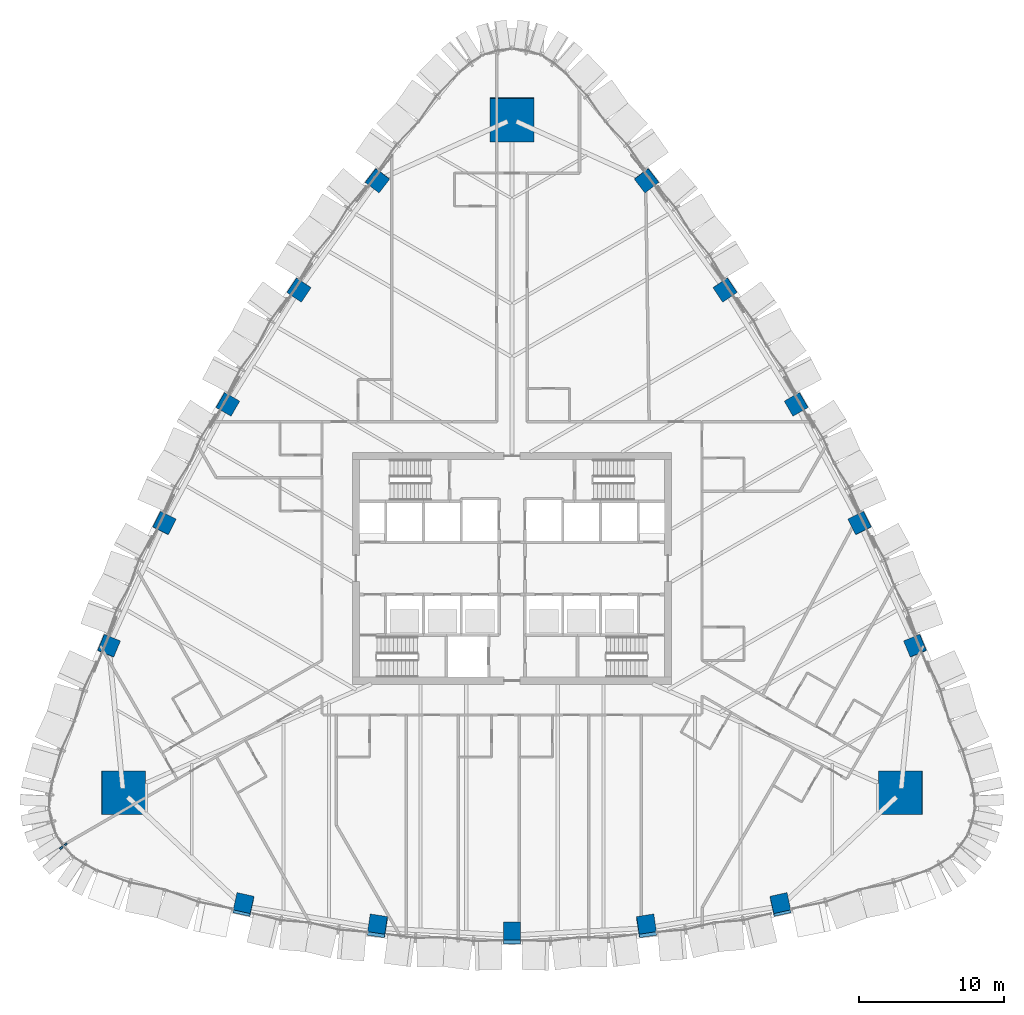
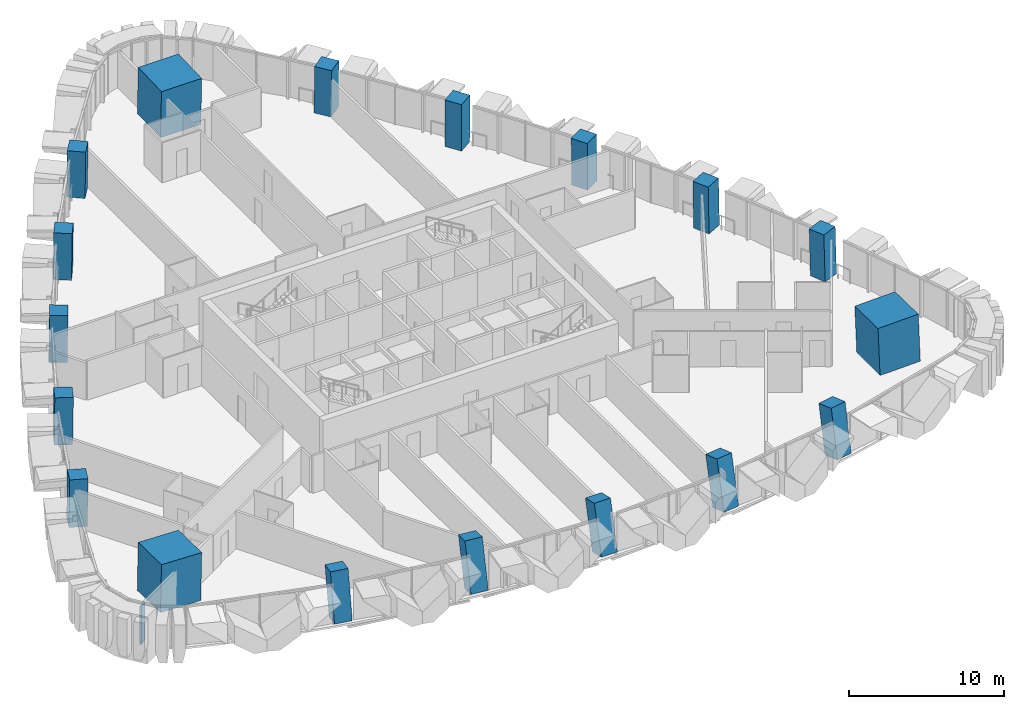
# One storey, part 1 of 22: 18 columns, 1 member, 1 element without a shape of its own.
"""IFC4 building model written with IfcOpenShell, lengths in metres."""

from ifc_helpers import new_model, si_unit, direction, frame, origin, origin_2d, place, context, subcontext, project, spatial, rectangle, extrude, clip, halfspace, material, layer, layer_set, material_profile, profile_set, type_object, element, aggregate, save


model = new_model("IFC4")

# Units and contexts
model_context = context("Model", 3, precision=1e-05, world=origin(), true_north=direction((0.0, 1.0)))
body_context = subcontext(model_context, "Body", "Model", "MODEL_VIEW")
ifc_project = project(units=[si_unit("LENGTHUNIT", "METRE"), si_unit("AREAUNIT", "SQUARE_METRE"), si_unit("VOLUMEUNIT", "CUBIC_METRE"), si_unit("PLANEANGLEUNIT", "RADIAN"), si_unit("MASSUNIT", "GRAM", prefix="KILO")], contexts=[model_context])

# Site, building, storey
site_placement = place(None, origin())
site = spatial("IfcSite", under=ifc_project, at=site_placement, CompositionType="ELEMENT")
building_placement = place(site_placement, origin())
building = spatial("IfcBuilding", under=site, at=building_placement, Name="Sierra Prisma Convention Tower", CompositionType="ELEMENT")
storey_placement = place(building_placement, frame((0.0, 0.0, 62.800048828125)))
storey = spatial("IfcBuildingStorey", under=building, at=storey_placement, Name="L11", CompositionType="ELEMENT", Elevation=62.800048828125)

# Columns
ifc_material_1 = material(Name="Concrete C60/75", Category="concrete")
ifc_material_profile_1 = material_profile(ifc_material_1, rectangle(XDim=3.0, YDim=3.0, at=origin_2d()), Name="Mega column RC 3000 C60/75")
ifc_profile_set_1 = profile_set([ifc_material_profile_1], Name="Concrete C60/75")
column_type_1 = type_object("IfcColumnType", Name="Mega column RC 3000 C60/75", PredefinedType="COLUMN", material=ifc_profile_set_1)
for number, where, z_axis, x_axis, name in (
    (1, (26.788818359375, -15.466552734375, 0.0), (-0.030531992032, 0.017607001884, 0.999378702468), (0.999533790055, 0.000537827582, 0.03052725469), "Mega column SE L11"),
    (2, (0.0, 30.93310546875, 0.0), (0.0, -0.035279904102, 0.999377470412), (1.0, 0.0, 0.0), "Mega column N L11"),
    (3, (-26.788818359375, -15.466552734375, 0.0), (0.030531992032, 0.017607001884, 0.999378702468), (0.999533790055, -0.000537827582, -0.03052725469), "Mega column SW L11"),
):
    element("IfcColumn", number, at=place(storey_placement, frame(where, z_axis=z_axis, x_axis=x_axis)), inside=storey, type_object=column_type_1, Name=name, PredefinedType="COLUMN", context=body_context, shape_type="SweptSolid", body=[
        extrude(rectangle(XDim=3.0, YDim=3.0, at=origin_2d()), origin(), (0.0, 0.0, 1.0), 3.7021484375),
    ])
ifc_material_2 = material(Name="Concrete C60/75", Category="concrete")
ifc_material_profile_2 = material_profile(ifc_material_2, rectangle(XDim=1.199951171875, YDim=1.199951171875, at=origin_2d()), Name="Perimeter column RC 1200 C60/75")
ifc_profile_set_2 = profile_set([ifc_material_profile_2], Name="Concrete C60/75")
column_type_2 = type_object("IfcColumnType", Name="Perimeter column RC 1200 C60/75", PredefinedType="COLUMN", material=ifc_profile_set_2)
column_1_placement = place(storey_placement, frame((-18.51611328125, -23.275390625, 0.0), z_axis=(0.019035359056, 0.17391691533, 0.98457633613), x_axis=(-0.976521539024, 0.214578146302, -0.019023747061)))
element("IfcColumn", 4, at=column_1_placement, inside=storey, type_object=column_type_2, Name="Perimeter column S-1 L11", PredefinedType="COLUMN", context=body_context, shape_type="SweptSolid", body=[
    clip(clip(extrude(rectangle(XDim=1.199951171875, YDim=1.199951171875, at=origin_2d()), origin(), (0.0, 0.0, 1.0), 3.7578125), halfspace(frame((0.0, 0.0, 0.00048828125)), True)), halfspace(frame((0.0, 0.0, 3.752197265625)), False)),
])
column_2_placement = place(storey_placement, frame((-9.2783203125, -24.785400390625, 0.0), z_axis=(0.009454937322, 0.223059337629, 0.97475901435), x_axis=(0.988869315433, -0.146836694661, 0.024009625055)))
element("IfcColumn", 5, at=column_2_placement, inside=storey, type_object=column_type_2, Name="Perimeter column S-2 L11", PredefinedType="COLUMN", context=body_context, shape_type="SweptSolid", body=[
    clip(extrude(rectangle(XDim=1.199951171875, YDim=1.199951171875, at=origin_2d()), origin(), (0.0, 0.0, 1.0), 3.795654296875), halfspace(frame((0.0, 0.0, 3.789306640625)), False)),
])
column_3_placement = place(storey_placement, frame((0.0, -25.28564453125, 0.0), z_axis=(0.0, 0.23868906442, 0.971096045984), x_axis=(-1.0, 0.0, 0.0)))
element("IfcColumn", 6, at=column_3_placement, inside=storey, type_object=column_type_2, Name="Perimeter column S-3 L11", PredefinedType="COLUMN", context=body_context, shape_type="SweptSolid", body=[
    clip(extrude(rectangle(XDim=1.199951171875, YDim=1.199951171875, at=origin_2d()), origin(), (0.0, 0.0, 1.0), 3.81005859375), halfspace(frame((0.0, 0.0, 3.8037109375)), False)),
])
column_4_placement = place(storey_placement, frame((9.2783203125, -24.785400390625, 0.0), z_axis=(-0.009454937322, 0.223059337629, 0.97475901435), x_axis=(-0.988869315433, -0.146836694661, 0.024009625055)))
element("IfcColumn", 7, at=column_4_placement, inside=storey, type_object=column_type_2, Name="Perimeter column S-4 L11", PredefinedType="COLUMN", context=body_context, shape_type="SweptSolid", body=[
    clip(extrude(rectangle(XDim=1.199951171875, YDim=1.199951171875, at=origin_2d()), origin(), (0.0, 0.0, 1.0), 3.795654296875), halfspace(frame((0.0, 0.0, 3.789306640625)), False)),
])
column_5_placement = place(storey_placement, frame((18.51611328125, -23.275390625, 0.0), z_axis=(-0.019035359056, 0.17391691533, 0.98457633613), x_axis=(0.976521539024, 0.214578146302, -0.019023747061)))
element("IfcColumn", 8, at=column_5_placement, inside=storey, type_object=column_type_2, Name="Perimeter column S-5 L11", PredefinedType="COLUMN", context=body_context, shape_type="SweptSolid", body=[
    clip(clip(extrude(rectangle(XDim=1.199951171875, YDim=1.199951171875, at=origin_2d()), origin(), (0.0, 0.0, 1.0), 3.7578125), halfspace(frame((0.0, 0.0, 0.00048828125)), True)), halfspace(frame((0.0, 0.0, 3.752197265625)), False)),
])
column_6_placement = place(storey_placement, frame((27.788330078125, -5.3369140625, 0.0), z_axis=(-0.019460655113, 0.011016709844, 0.999749926235), x_axis=(-0.381541837416, 0.924183792164, -0.017610922819)))
element("IfcColumn", 9, at=column_6_placement, inside=storey, type_object=column_type_2, Name="Perimeter column NE-1 L11", PredefinedType="COLUMN", context=body_context, shape_type="SweptSolid", body=[
    extrude(rectangle(XDim=1.199951171875, YDim=1.199951171875, at=origin_2d()), origin(), (0.0, 0.0, 1.0), 3.700927734375),
])
column_7_placement = place(storey_placement, frame((23.964599609375, 3.122314453125, 0.0), z_axis=(-0.015372606146, 0.002309189764, 0.999879168011), x_axis=(-0.441716721862, 0.89711079847, -0.008863007202)))
element("IfcColumn", 10, at=column_7_placement, inside=storey, type_object=column_type_2, Name="Perimeter column NE-2 L11", PredefinedType="COLUMN", context=body_context, shape_type="SweptSolid", body=[
    extrude(rectangle(XDim=1.199951171875, YDim=1.199951171875, at=origin_2d()), origin(), (0.0, 0.0, 1.0), 3.700439453125),
])
column_8_placement = place(storey_placement, frame((19.5908203125, 11.310791015625, 0.0), z_axis=(-0.010754697325, -0.00620209539, 0.999922932279), x_axis=(-0.499971083285, 0.866042098195, -5.762411e-06)))
element("IfcColumn", 11, at=column_8_placement, inside=storey, type_object=column_type_2, Name="Perimeter column NE-3 L11", PredefinedType="COLUMN", context=body_context, shape_type="SweptSolid", body=[
    extrude(rectangle(XDim=1.199951171875, YDim=1.199951171875, at=origin_2d()), origin(), (0.0, 0.0, 1.0), 3.7001953125),
])
column_9_placement = place(storey_placement, frame((14.686279296875, 19.192626953125, 0.0), z_axis=(-0.005674016471, -0.014382971985, 0.999880460682), x_axis=(-0.556042983249, 0.831106950726, 0.00879984287)))
element("IfcColumn", 12, at=column_9_placement, inside=storey, type_object=column_type_2, Name="Perimeter column NE-4 L11", PredefinedType="COLUMN", context=body_context, shape_type="SweptSolid", body=[
    extrude(rectangle(XDim=1.199951171875, YDim=1.199951171875, at=origin_2d()), origin(), (0.0, 0.0, 1.0), 3.700439453125),
])
for number, where, z_axis, x_axis, name in (
    (13, (9.2724609375, 26.73388671875, 0.0), (-0.000263873276, -0.02236326018, 0.999749876202), (-0.609679031442, 0.792453744126, 0.017565364773), "Perimeter column NE-5 L11"),
    (14, (-9.2724609375, 26.73388671875, 0.0), (0.000263873276, -0.02236326018, 0.999749876202), (0.609679031442, 0.792453744126, 0.017565364773), "Perimeter column NW-1 L11"),
):
    element("IfcColumn", number, at=place(storey_placement, frame(where, z_axis=z_axis, x_axis=x_axis)), inside=storey, type_object=column_type_2, Name=name, PredefinedType="COLUMN", context=body_context, shape_type="SweptSolid", body=[
        extrude(rectangle(XDim=1.199951171875, YDim=1.199951171875, at=origin_2d()), origin(), (0.0, 0.0, 1.0), 3.700927734375),
    ])
column_10_placement = place(storey_placement, frame((-14.686279296875, 19.192626953125, 0.0), z_axis=(0.005674016471, -0.014382971985, 0.999880460682), x_axis=(0.556042983249, 0.831106950726, 0.00879984287)))
element("IfcColumn", 15, at=column_10_placement, inside=storey, type_object=column_type_2, Name="Perimeter column NW-2 L11", PredefinedType="COLUMN", context=body_context, shape_type="SweptSolid", body=[
    extrude(rectangle(XDim=1.199951171875, YDim=1.199951171875, at=origin_2d()), origin(), (0.0, 0.0, 1.0), 3.700439453125),
])
column_11_placement = place(storey_placement, frame((-19.5908203125, 11.310791015625, 0.0), z_axis=(0.010754697325, -0.00620209539, 0.999922932279), x_axis=(0.499971083285, 0.866042098195, -5.762411e-06)))
element("IfcColumn", 16, at=column_11_placement, inside=storey, type_object=column_type_2, Name="Perimeter column NW-3 L11", PredefinedType="COLUMN", context=body_context, shape_type="SweptSolid", body=[
    extrude(rectangle(XDim=1.199951171875, YDim=1.199951171875, at=origin_2d()), origin(), (0.0, 0.0, 1.0), 3.7001953125),
])
column_12_placement = place(storey_placement, frame((-23.964599609375, 3.122314453125, 0.0), z_axis=(0.015372606146, 0.002309189764, 0.999879168011), x_axis=(0.441716721862, 0.89711079847, -0.008863007202)))
element("IfcColumn", 17, at=column_12_placement, inside=storey, type_object=column_type_2, Name="Perimeter column NW-4 L11", PredefinedType="COLUMN", context=body_context, shape_type="SweptSolid", body=[
    extrude(rectangle(XDim=1.199951171875, YDim=1.199951171875, at=origin_2d()), origin(), (0.0, 0.0, 1.0), 3.700439453125),
])
column_13_placement = place(storey_placement, frame((-27.788330078125, -5.3369140625, 0.0), z_axis=(0.019460655113, 0.011016709844, 0.999749926235), x_axis=(0.381541837416, 0.924183792164, -0.017610922819)))
element("IfcColumn", 18, at=column_13_placement, inside=storey, type_object=column_type_2, Name="Perimeter column NW-5 L11", PredefinedType="COLUMN", context=body_context, shape_type="SweptSolid", body=[
    extrude(rectangle(XDim=1.199951171875, YDim=1.199951171875, at=origin_2d()), origin(), (0.0, 0.0, 1.0), 3.700927734375),
])

# Curtain wall, member
ifc_material_3 = material(Name="Aluminium and glass curtain wall", Category="aluminium")
ifc_layer = layer(ifc_material_3, 0.179931640625)
ifc_layer_set = layer_set([ifc_layer], Name="CW-2 Faceted crystal curtain wall")
curtain_wall_type = type_object("IfcCurtainWallType", Name="CW-2 Faceted crystal curtain wall", PredefinedType="NOTDEFINED", material=ifc_layer_set)
curtain_wall_placement = place(storey_placement, origin())
curtain_wall = element("IfcCurtainWall", 19, at=curtain_wall_placement, inside=storey, type_object=curtain_wall_type, Name="CW-2 SW3 L11", PredefinedType="NOTDEFINED")
ifc_material_4 = material(Name="Aluminium 6063-T6 bronze anodised", Category="aluminium")
ifc_material_profile_3 = material_profile(ifc_material_4, rectangle(XDim=0.1201171875, YDim=0.60009765625, at=origin_2d()), Name="ALU RIDGE BLADE 120x600")
ifc_profile_set_3 = profile_set([ifc_material_profile_3], Name="Aluminium 6063-T6 bronze anodised")
member_type = type_object("IfcMemberType", Name="CW hip bronze", PredefinedType="MULLION", material=ifc_profile_set_3)
member_placement = place(storey_placement, frame((-30.90576171875, -19.147705078125, 0.0), z_axis=(0.0, 0.0, 1.0), x_axis=(0.606179416614, -0.795327929142, 0.0)))
member = element("IfcMember", 20, at=member_placement, type_object=member_type, Name="CW-2 ridge SW3.1", PredefinedType="MULLION", context=body_context, shape_type="SweptSolid", body=[
    extrude(rectangle(XDim=0.1201171875, YDim=0.60009765625, at=origin_2d()), origin(), (0.0, 0.0, 1.0), 2.97998046875),
])
aggregate(curtain_wall, [member])

save(model, "model.ifc")
